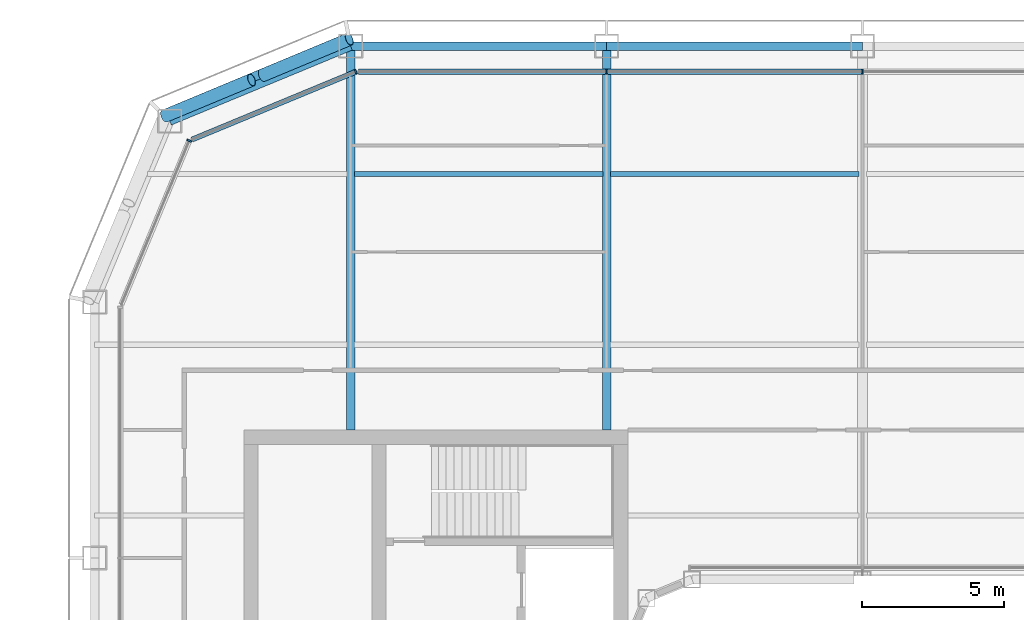
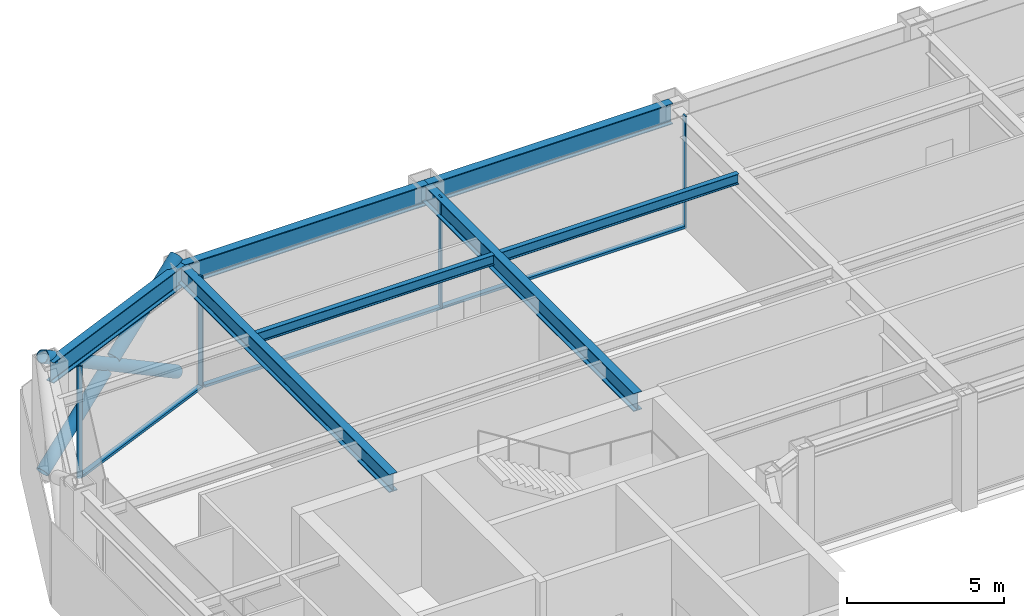
# One storey, part 8 of 23: 10 members, 7 beams, 3 elements without a shape of their own.
"""IFC4 building model written with IfcOpenShell, lengths in metres."""

from ifc_helpers import new_model, si_unit, direction, frame, origin, origin_2d, place, context, subcontext, project, spatial, rectangle, hollow_circle, i_section, extrude, material, layer, layer_set, material_profile, profile_set, type_object, element, aggregate, save


model = new_model("IFC4")

# Units and contexts
model_context = context("Model", 3, precision=1e-05, world=origin(), true_north=direction((0.0, 1.0)))
body_context = subcontext(model_context, "Body", "Model", "MODEL_VIEW")
ifc_project = project(units=[si_unit("LENGTHUNIT", "METRE"), si_unit("AREAUNIT", "SQUARE_METRE"), si_unit("VOLUMEUNIT", "CUBIC_METRE"), si_unit("PLANEANGLEUNIT", "RADIAN"), si_unit("MASSUNIT", "GRAM", prefix="KILO")], contexts=[model_context])

# Site, building, storey
site_placement = place(None, origin())
site = spatial("IfcSite", under=ifc_project, at=site_placement, CompositionType="ELEMENT")
building_placement = place(site_placement, origin())
building = spatial("IfcBuilding", under=site, at=building_placement, Name="Siwar Civic Tower", CompositionType="ELEMENT")
storey_placement = place(building_placement, frame((0.0, 0.0, 233.199951171875)))
storey = spatial("IfcBuildingStorey", under=building, at=storey_placement, Name="L50", CompositionType="ELEMENT", Elevation=233.199951171875)

# Curtain wall, members
ifc_material_1 = material(Name="Aluminium and glass", Category="aluminium")
ifc_layer_1 = layer(ifc_material_1, 0.179931640625)
ifc_layer_set_1 = layer_set([ifc_layer_1], Name="Aluminium and glass")
curtain_wall_type_1 = type_object("IfcCurtainWallType", Name="ENV-CW-C", PredefinedType="NOTDEFINED", material=ifc_layer_set_1)
curtain_wall_1_placement = place(storey_placement, origin())
curtain_wall_1 = element("IfcCurtainWall", 1, at=curtain_wall_1_placement, inside=storey, type_object=curtain_wall_type_1, Name="Curtain wall C N", PredefinedType="NOTDEFINED")
ifc_material_2 = material(Name="Aluminium 6063-T6", Category="aluminium")
ifc_material_profile_1 = material_profile(ifc_material_2, rectangle(XDim=0.179931640625, YDim=0.06005859375, at=origin_2d()), Name="AL 180x60")
ifc_profile_set_1 = profile_set([ifc_material_profile_1], Name="Aluminium 6063-T6")
member_type_1 = type_object("IfcMemberType", Name="ENV-MULLION-C", PredefinedType="MULLION", material=ifc_profile_set_1)
member_1_placement = place(storey_placement, frame((0.0, 26.10009765625, 0.0), z_axis=(0.0, 0.0, 1.0), x_axis=(0.0, -1.0, 0.0)))
member_1 = element("IfcMember", 2, at=member_1_placement, type_object=member_type_1, Name="Mullion C N 3", PredefinedType="MULLION", context=body_context, shape_type="SweptSolid", body=[
    extrude(rectangle(XDim=0.179931640625, YDim=0.06005859375, at=origin_2d()), origin(), (0.0, 0.0, 1.0), 4.35009765625),
])
member_2_placement = place(storey_placement, frame((-9.0, 26.10009765625, 0.0), z_axis=(0.0, 0.0, 1.0), x_axis=(0.0, -1.0, 0.0)))
member_2 = element("IfcMember", 3, at=member_2_placement, type_object=member_type_1, Name="Mullion C N 4", PredefinedType="MULLION", context=body_context, shape_type="SweptSolid", body=[
    extrude(rectangle(XDim=0.179931640625, YDim=0.06005859375, at=origin_2d()), origin(), (0.0, 0.0, 1.0), 4.35009765625),
])

# Curtain wall, member
ifc_material_3 = material(Name="Aluminium clad insulated panel", Category="aluminium")
ifc_layer_2 = layer(ifc_material_3, 0.179931640625)
ifc_layer_set_2 = layer_set([ifc_layer_2], Name="Aluminium clad insulated panel")
curtain_wall_type_2 = type_object("IfcCurtainWallType", Name="ENV-CW-CX", PredefinedType="NOTDEFINED", material=ifc_layer_set_2)
curtain_wall_2_placement = place(storey_placement, origin())
curtain_wall_2 = element("IfcCurtainWall", 4, at=curtain_wall_2_placement, inside=storey, type_object=curtain_wall_type_2, Name="Curtain wall C NW1", PredefinedType="NOTDEFINED")
member_3_placement = place(storey_placement, frame((-17.821044921875, 26.10009765625, 0.0), z_axis=(0.0, 0.0, 1.0), x_axis=(0.382683432365, -0.923879532511, 0.0)))
member_3 = element("IfcMember", 5, at=member_3_placement, type_object=member_type_1, Name="Mullion C NW1 1", PredefinedType="MULLION", context=body_context, shape_type="SweptSolid", body=[
    extrude(rectangle(XDim=0.179931640625, YDim=0.06005859375, at=origin_2d()), origin(), (0.0, 0.0, 1.0), 4.35009765625),
])

curtain_wall_3_placement = place(storey_placement, origin())
curtain_wall_3 = element("IfcCurtainWall", 6, at=curtain_wall_3_placement, inside=storey, type_object=curtain_wall_type_2, Name="Curtain wall C NW2", PredefinedType="NOTDEFINED")
member_4_placement = place(storey_placement, frame((-23.675048828125, 23.675048828125, 0.0), z_axis=(0.0, 0.0, 1.0), x_axis=(0.923879532511, -0.382683432365, 0.0)))
member_4 = element("IfcMember", 7, at=member_4_placement, type_object=member_type_1, Name="Mullion C NW2 1", PredefinedType="MULLION", context=body_context, shape_type="SweptSolid", body=[
    extrude(rectangle(XDim=0.179931640625, YDim=0.06005859375, at=origin_2d()), origin(), (0.0, 0.0, 1.0), 4.35009765625),
])
aggregate(curtain_wall_3, [member_4])

# Member
ifc_material_4 = material(Name="Aluminium 6063-T6", Category="aluminium")
ifc_material_profile_2 = material_profile(ifc_material_4, rectangle(XDim=0.179931640625, YDim=0.10009765625, at=origin_2d()), Name="AL 180x100")
ifc_profile_set_2 = profile_set([ifc_material_profile_2], Name="Aluminium 6063-T6")
member_type_2 = type_object("IfcMemberType", Name="ENV-TRANSOM-C", PredefinedType="USERDEFINED", material=ifc_profile_set_2)
member_5_placement = place(storey_placement, frame((-0.030029296875, 26.10009765625, 0.050048828125), z_axis=(-1.0, 0.0, 0.0), x_axis=(0.0, -1.0, 0.0)))
member_5 = element("IfcMember", 8, at=member_5_placement, type_object=member_type_2, Name="Transom C N 3", ObjectType="TRANSOM", PredefinedType="USERDEFINED", context=body_context, shape_type="SweptSolid", body=[
    extrude(rectangle(XDim=0.179931640625, YDim=0.10009765625, at=origin_2d()), origin(), (0.0, 0.0, 1.0), 8.93994140625),
])

member_6_placement = place(storey_placement, frame((-9.030029296875, 26.10009765625, 0.050048828125), z_axis=(-1.0, 0.0, 0.0), x_axis=(0.0, -1.0, 0.0)))
member_6 = element("IfcMember", 9, at=member_6_placement, type_object=member_type_2, Name="Transom C N 4", ObjectType="TRANSOM", PredefinedType="USERDEFINED", context=body_context, shape_type="SweptSolid", body=[
    extrude(rectangle(XDim=0.179931640625, YDim=0.10009765625, at=origin_2d()), origin(), (0.0, 0.0, 1.0), 8.68603515625),
])

aggregate(curtain_wall_1, [member_1, member_2, member_5, member_6])

member_7_placement = place(storey_placement, frame((-17.8486328125, 26.088623046875, 0.050048828125), z_axis=(-0.923882011223, -0.38267744817, 0.0), x_axis=(0.38267744817, -0.923882011223, 0.0)))
member_7 = element("IfcMember", 10, at=member_7_placement, type_object=member_type_2, Name="Transom C NW1 1", ObjectType="TRANSOM", PredefinedType="USERDEFINED", context=body_context, shape_type="SweptSolid", body=[
    extrude(rectangle(XDim=0.179931640625, YDim=0.10009765625, at=origin_2d()), origin(), (0.0, 0.0, 1.0), 6.201904296875),
])

aggregate(curtain_wall_2, [member_3, member_7])

# Members
ifc_material_5 = material(Name="Steel S355", Category="steel")
ifc_material_profile_3 = material_profile(ifc_material_5, hollow_circle(Radius=0.228515625, WallThickness=0.02001953125, at=origin_2d()), Name="CHS457x20")
ifc_profile_set_3 = profile_set([ifc_material_profile_3], Name="Steel S355")
member_type_3 = type_object("IfcMemberType", Name="STR-BR-CHS457x20", PredefinedType="BRACE", material=ifc_profile_set_3)
member_8_placement = place(storey_placement, frame((-18.048828125, 27.2451171875, 0.0), z_axis=(-0.777554562952, -0.323905527954, 0.538975055633), x_axis=(0.384538969033, -0.923108759191, 0.0)))
element("IfcMember", 11, at=member_8_placement, inside=storey, type_object=member_type_3, Name="L50/brc/CNW1-10-0-0", PredefinedType="BRACE", context=body_context, shape_type="SweptSolid", body=[
    extrude(hollow_circle(Radius=0.228515625, WallThickness=0.02001953125, at=origin_2d()), origin(), (0.0, 0.0, 1.0), 8.34912109375),
])
for number, where, z_axis, x_axis, name in (
    (12, (-24.540771484375, 24.540771484375, 0.0), (0.777546448489, 0.323884455881, 0.538999424564), (-0.38452107079, 0.92311621485, 0.0), "L50/brc/CNW1-10-0-4"),
    (13, (-21.10302734375, 25.972900390625, 2.383056640625), (0.777572496853, 0.323895306243, 0.538955325357), (-0.38452107079, 0.92311621485, 0.0), "L50/brc/CNW1-10-0-5"),
):
    element("IfcMember", number, at=place(storey_placement, frame(where, z_axis=z_axis, x_axis=x_axis)), inside=storey, type_object=member_type_3, Name=name, PredefinedType="BRACE", context=body_context, shape_type="SweptSolid", body=[
        extrude(hollow_circle(Radius=0.228515625, WallThickness=0.02001953125, at=origin_2d()), origin(), (0.0, 0.0, 1.0), 3.927978515625),
    ])

# Beams
ifc_material_6 = material(Name="Steel S355", Category="steel")
ifc_material_profile_4 = material_profile(ifc_material_6, i_section(OverallWidth=0.179931640625, OverallDepth=0.39990234375, WebThickness=0.008544921875, FlangeThickness=0.013427734375, FilletRadius=0.02099609375, at=origin_2d()), Name="IPE400")
ifc_profile_set_4 = profile_set([ifc_material_profile_4], Name="Steel S355")
beam_type_1 = type_object("IfcBeamType", Name="STR-FB-IPE400", PredefinedType="JOIST", material=ifc_profile_set_4)
for number, where, z_axis, x_axis, name in (
    (14, (-17.8701171875, 22.5, 4.150146484375), (1.0, 0.0, 0.0), (0.0, 1.0, 0.0), "L50/bm/F038"),
    (15, (-8.8701171875, 22.5, 4.150146484375), (1.0, 0.0, 0.0), (0.0, 1.0, 0.0), "L50/bm/F039"),
):
    element("IfcBeam", number, at=place(storey_placement, frame(where, z_axis=z_axis, x_axis=x_axis)), inside=storey, type_object=beam_type_1, Name=name, PredefinedType="JOIST", context=body_context, shape_type="SweptSolid", body=[
        extrude(i_section(OverallWidth=0.179931640625, OverallDepth=0.39990234375, WebThickness=0.008544921875, FlangeThickness=0.013427734375, FilletRadius=0.02099609375, at=origin_2d()), origin(), (0.0, 0.0, 1.0), 8.740234375),
    ])
ifc_material_7 = material(Name="Steel S355", Category="steel")
ifc_material_profile_5 = material_profile(ifc_material_7, i_section(OverallWidth=0.300048828125, OverallDepth=0.699951171875, WebThickness=0.01708984375, FlangeThickness=0.031982421875, FilletRadius=0.027099609375, at=origin_2d()), Name="HEB700")
ifc_profile_set_5 = profile_set([ifc_material_profile_5], Name="Steel S355")
beam_type_2 = type_object("IfcBeamType", Name="STR-PG-HEB700", PredefinedType="BEAM", material=ifc_profile_set_5)
for number, where, z_axis, x_axis, name in (
    (16, (-18.0, 13.5, 4.0), (0.0, 1.0, 0.0), (-1.0, 0.0, 0.0), "L50/bm/G02"),
    (17, (-9.0, 13.5, 4.0), (0.0, 1.0, 0.0), (-1.0, 0.0, 0.0), "L50/bm/G04"),
):
    element("IfcBeam", number, at=place(storey_placement, frame(where, z_axis=z_axis, x_axis=x_axis)), inside=storey, type_object=beam_type_2, Name=name, PredefinedType="BEAM", context=body_context, shape_type="SweptSolid", body=[
        extrude(i_section(OverallWidth=0.300048828125, OverallDepth=0.699951171875, WebThickness=0.01708984375, FlangeThickness=0.031982421875, FilletRadius=0.027099609375, at=origin_2d()), origin(), (0.0, 0.0, 1.0), 13.5),
    ])
ifc_material_8 = material(Name="Steel S355", Category="steel")
ifc_material_profile_6 = material_profile(ifc_material_8, i_section(OverallWidth=0.300048828125, OverallDepth=0.800048828125, WebThickness=0.017578125, FlangeThickness=0.032958984375, FilletRadius=0.030029296875, at=origin_2d()), Name="HEB800")
ifc_profile_set_6 = profile_set([ifc_material_profile_6], Name="Steel S355")
beam_type_3 = type_object("IfcBeamType", Name="STR-SB-HEB800", PredefinedType="BEAM", material=ifc_profile_set_6)
for number, where, z_axis, x_axis, name in (
    (18, (0.0, 27.0, 3.949951171875), (-1.0, 0.0, 0.0), (0.0, -1.0, 0.0), "L50/bm/SN-2"),
    (19, (-9.0, 27.0, 3.949951171875), (-1.0, 0.0, 0.0), (0.0, -1.0, 0.0), "L50/bm/SN-3"),
):
    element("IfcBeam", number, at=place(storey_placement, frame(where, z_axis=z_axis, x_axis=x_axis)), inside=storey, type_object=beam_type_3, Name=name, PredefinedType="BEAM", context=body_context, shape_type="SweptSolid", body=[
        extrude(i_section(OverallWidth=0.300048828125, OverallDepth=0.800048828125, WebThickness=0.017578125, FlangeThickness=0.032958984375, FilletRadius=0.030029296875, at=origin_2d()), origin(), (0.0, 0.0, 1.0), 9.0),
    ])
beam_placement = place(storey_placement, frame((-18.0, 27.0, 3.949951171875), z_axis=(-0.923883353507, -0.382674207535, 0.0), x_axis=(0.382674207535, -0.923883353507, 0.0)))
element("IfcBeam", 20, at=beam_placement, inside=storey, type_object=beam_type_3, Name="L50/bm/SNW1-0", PredefinedType="BEAM", context=body_context, shape_type="SweptSolid", body=[
    extrude(i_section(OverallWidth=0.300048828125, OverallDepth=0.800048828125, WebThickness=0.017578125, FlangeThickness=0.032958984375, FilletRadius=0.030029296875, at=origin_2d()), origin(), (0.0, 0.0, 1.0), 6.888427734375),
])

save(model, "model.ifc")
